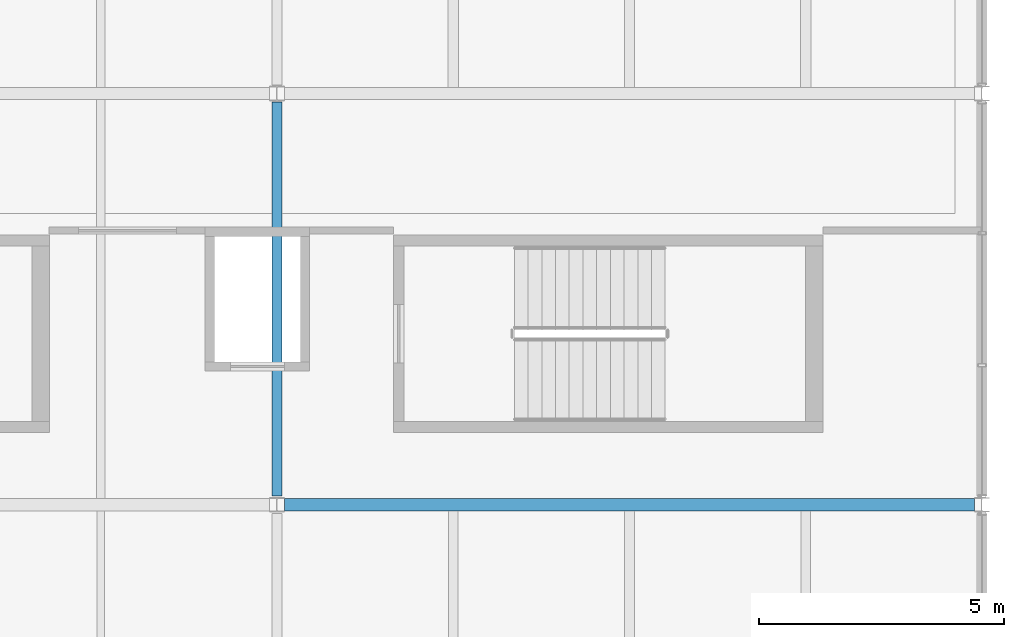
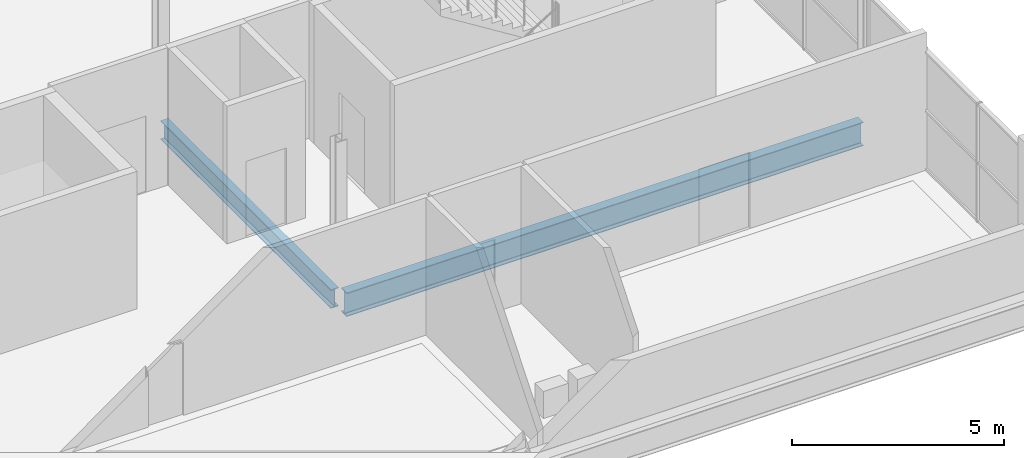
# One storey, part 43 of 68: 2 beams.
"""IFC4 building model written with IfcOpenShell, lengths in metres."""

from ifc_helpers import new_model, si_unit, direction, frame, origin, origin_2d, place, context, subcontext, project, spatial, i_section, extrude, material, material_profile, profile_set, type_object, element, save


model = new_model("IFC4")

# Units and contexts
model_context = context("Model", 3, precision=1e-05, world=origin(), true_north=direction((0.0, 1.0)))
body_context = subcontext(model_context, "Body", "Model", "MODEL_VIEW")
ifc_project = project(units=[si_unit("LENGTHUNIT", "METRE"), si_unit("AREAUNIT", "SQUARE_METRE"), si_unit("VOLUMEUNIT", "CUBIC_METRE"), si_unit("PLANEANGLEUNIT", "RADIAN"), si_unit("MASSUNIT", "GRAM", prefix="KILO"), si_unit("THERMODYNAMICTEMPERATUREUNIT", "KELVIN")], contexts=[model_context])

# Site, building, storey
site_placement = place(None, origin())
site = spatial("IfcSite", under=ifc_project, at=site_placement, CompositionType="ELEMENT")
building_placement = place(site_placement, origin())
building = spatial("IfcBuilding", under=site, at=building_placement, Name="Nduvali Passage Aquatics Centre", CompositionType="ELEMENT")
storey_placement = place(building_placement, frame((0.0, 0.0, 13.199951171875)))
storey = spatial("IfcBuildingStorey", under=building, at=storey_placement, Name="L03", CompositionType="ELEMENT", Elevation=13.199951171875)

# Beams
ifc_material = material(Name="Steel S355", Category="steel")
ifc_material_profile_1 = material_profile(ifc_material, i_section(OverallWidth=0.210693359375, OverallDepth=0.53955078125, WebThickness=0.01171875, FlangeThickness=0.018798828125, FilletRadius=0.0126953125, at=origin_2d()), Name="UKB 533x210x109")
ifc_profile_set_1 = profile_set([ifc_material_profile_1], Name="Steel S355")
beam_type_1 = type_object("IfcBeamType", Name="STR-BM-UKB533", PredefinedType="BEAM", material=ifc_profile_set_1)
beam_1_placement = place(storey_placement, frame((111.60009765625, 100.97509765625, -0.523681640625), z_axis=(0.0, 1.0, 0.0), x_axis=(-1.0, 0.0, 0.0)))
element("IfcBeam", 1, at=beam_1_placement, inside=storey, type_object=beam_type_1, Name="L03 Primary Y-Girder B6-1271", PredefinedType="BEAM", context=body_context, shape_type="SweptSolid", body=[
    extrude(i_section(OverallWidth=0.210693359375, OverallDepth=0.53955078125, WebThickness=0.01171875, FlangeThickness=0.018798828125, FilletRadius=0.0126953125, at=origin_2d()), origin(), (0.0, 0.0, 1.0), 8.054931640625),
])
ifc_material_profile_2 = material_profile(ifc_material, i_section(OverallWidth=0.253662109375, OverallDepth=0.68359375, WebThickness=0.012451171875, FlangeThickness=0.01904296875, FilletRadius=0.01513671875, at=origin_2d()), Name="UKB 686x254x140")
ifc_profile_set_2 = profile_set([ifc_material_profile_2], Name="Steel S355")
beam_type_2 = type_object("IfcBeamType", Name="STR-BM-UKB686", PredefinedType="BEAM", material=ifc_profile_set_2)
beam_2_placement = place(storey_placement, frame((111.75, 100.800048828125, -0.595703125), z_axis=(1.0, 0.0, 0.0), x_axis=(0.0, 1.0, 0.0)))
element("IfcBeam", 2, at=beam_2_placement, inside=storey, type_object=beam_type_2, Name="L03 Primary X-Girder B4-1226", PredefinedType="BEAM", context=body_context, shape_type="SweptSolid", body=[
    extrude(i_section(OverallWidth=0.253662109375, OverallDepth=0.68359375, WebThickness=0.012451171875, FlangeThickness=0.01904296875, FilletRadius=0.01513671875, at=origin_2d()), origin(), (0.0, 0.0, 1.0), 14.10009765625),
])

save(model, "model.ifc")
